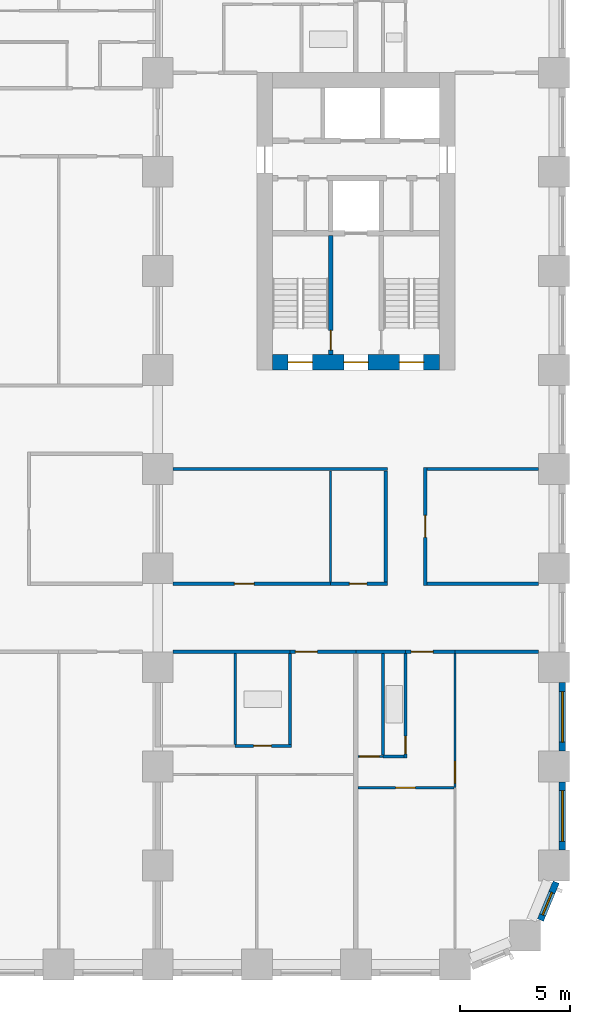
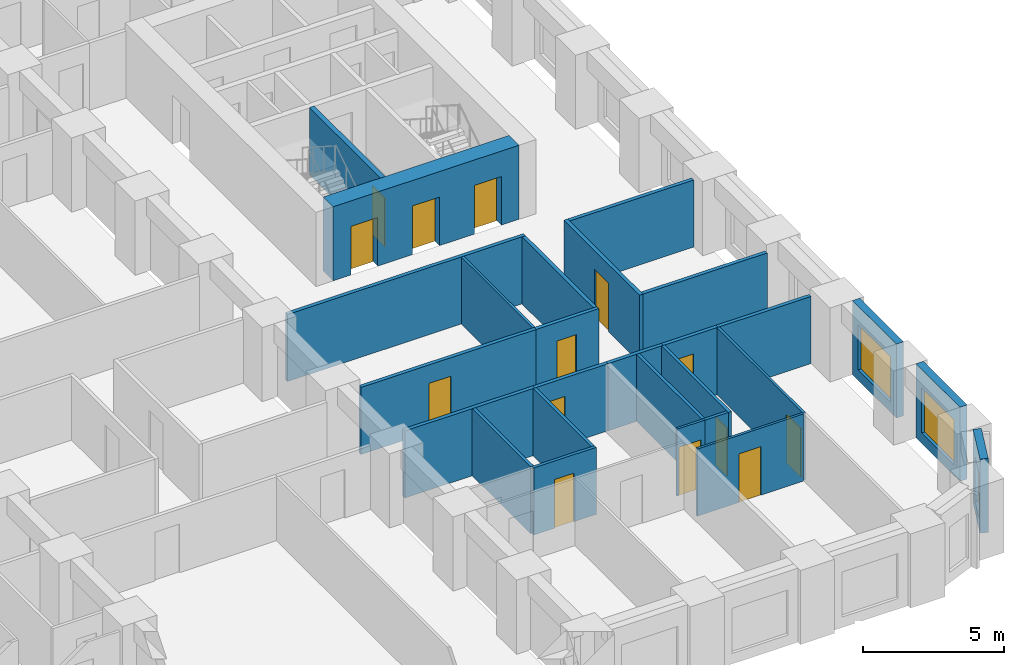
# One storey, part 5 of 13: 27 walls, 14 doors, 3 windows, 17 openings.
"""IFC4 building model written with IfcOpenShell, lengths in metres."""

import ifcopenshell
import ifcopenshell.guid

model = None  # the IFC model being written
_history = None  # IfcOwnerHistory: only IFC2X3 demands one
_inside = {}  # id of a spatial element -> (the spatial element, [elements in it])
_under = {}  # id of a project, library or spatial element -> (it, [spatial elements below it])
_declared = {}  # id of a project -> (the project, [libraries it declares])
_typed = {}  # id of a type object -> (the type object, [elements of that type])
_made_of = {}  # id of a material, layer set ... -> (it, [elements and type objects made of it])


def new_model(schema):
    """Start an empty IFC model of exactly this schema.

    Asked for "IFC4X3", IfcOpenShell would pick the latest addendum, in which some entities
    have other attributes; the version numbers below select the first issue.
    IFC2X3 requires an IfcOwnerHistory on every rooted entity: one is made here for all.
    """
    global model, _history
    if schema == "IFC4X3":
        model = ifcopenshell.file(schema_version=(4, 3, 0, 0))
    else:
        model = ifcopenshell.file(schema=schema)
    _inside.clear()
    _under.clear()
    _declared.clear()
    _typed.clear()
    _made_of.clear()
    _history = None
    if model.schema == "IFC2X3":
        org = make("IfcOrganization", Name="unknown")
        user = make(
            "IfcPersonAndOrganization",
            ThePerson=make("IfcPerson", FamilyName="unknown"),
            TheOrganization=org,
        )
        app = make(
            "IfcApplication",
            ApplicationDeveloper=org,
            Version="unknown",
            ApplicationFullName="unknown",
            ApplicationIdentifier="unknown",
        )
        _history = make(
            "IfcOwnerHistory",
            OwningUser=user,
            OwningApplication=app,
            ChangeAction="ADDED",
            CreationDate=0,
        )
    return model


def make(cls, **values):
    """One entity of the class cls with the attributes given. An attribute that is None is left unset."""
    return model.create_entity(
        cls, **{name: value for name, value in values.items() if value is not None}
    )


def rooted(cls, **values):
    """An entity with a GlobalId (a new one), such as an element, a storey or a relation."""
    return make(cls, GlobalId=ifcopenshell.guid.new(), OwnerHistory=_history, **values)


def si_unit(unit_type, name, prefix=None):
    """IfcSIUnit, for example si_unit("LENGTHUNIT", "METRE", prefix="MILLI")."""
    return make("IfcSIUnit", UnitType=unit_type, Prefix=prefix, Name=name)


def assignment(units):
    """IfcUnitAssignment: the units of a project."""
    return None if units is None else make("IfcUnitAssignment", Units=units)


def point(xyz):
    """IfcCartesianPoint."""
    return None if xyz is None else make("IfcCartesianPoint", Coordinates=xyz)


def direction(xyz):
    """IfcDirection."""
    return None if xyz is None else make("IfcDirection", DirectionRatios=xyz)


def frame(location, z_axis=None, x_axis=None):
    """IfcAxis2Placement3D, a coordinate frame: its origin and axes. An axis left out is left unset."""
    return make(
        "IfcAxis2Placement3D",
        Location=point(location),
        Axis=direction(z_axis),
        RefDirection=direction(x_axis),
    )


def frame_2d(location, x_axis=None):
    """IfcAxis2Placement2D, a coordinate frame in the plane: its origin and x axis."""
    return make(
        "IfcAxis2Placement2D", Location=point(location), RefDirection=direction(x_axis)
    )


def origin():
    """The frame at (0, 0, 0) with its axes left unset."""
    return frame((0.0, 0.0, 0.0))


def place(relative_to, where):
    """IfcLocalPlacement: puts the frame where relative to a parent placement (None: the world)."""
    return make(
        "IfcLocalPlacement", PlacementRelTo=relative_to, RelativePlacement=where
    )


def context(
    kind, dimensions, precision=None, world=None, true_north=None, identifier=None
):
    """IfcGeometricRepresentationContext, for example the 3D "Model" context."""
    return make(
        "IfcGeometricRepresentationContext",
        ContextIdentifier=identifier,
        ContextType=kind,
        CoordinateSpaceDimension=dimensions,
        Precision=precision,
        WorldCoordinateSystem=world,
        TrueNorth=true_north,
    )


def subcontext(parent, identifier, kind, view, scale=None):
    """IfcGeometricRepresentationSubContext, for example "Body" below "Model"."""
    return make(
        "IfcGeometricRepresentationSubContext",
        ContextIdentifier=identifier,
        ContextType=kind,
        ParentContext=parent,
        TargetScale=scale,
        TargetView=view,
    )


def project(units=None, contexts=None):
    """IfcProject with its units and contexts."""
    return rooted(
        "IfcProject",
        Name="project",
        RepresentationContexts=contexts,
        UnitsInContext=assignment(units),
    )


def spatial(cls, under=None, at=None, **own):
    """A site, building, storey or space (cls), placed at a placement, below another one or the project."""
    s = rooted(cls, ObjectPlacement=at, **own)
    if under is not None:
        _under.setdefault(under.id(), (under, []))[1].append(s)
    return s


def profile(cls, at=None, kind="AREA", **sizes):
    """A parametric profile (cls). Its sizes go by their IFC names, for example OverallWidth=200.0."""
    return make(cls, ProfileType=kind, Position=at, **sizes)


def rectangle(**sizes):
    """IfcRectangleProfileDef."""
    return profile("IfcRectangleProfileDef", **sizes)


def extrude(swept, where, along, depth):
    """IfcExtrudedAreaSolid: the profile swept, set in the frame where, extruded along a direction by depth."""
    return make(
        "IfcExtrudedAreaSolid",
        SweptArea=swept,
        Position=where,
        ExtrudedDirection=direction(along),
        Depth=depth,
    )


def shape(context_of_items, identifier, shape_type, items):
    """IfcShapeRepresentation: the items that make up one representation, for example the "Body"."""
    return make(
        "IfcShapeRepresentation",
        ContextOfItems=context_of_items,
        RepresentationIdentifier=identifier,
        RepresentationType=shape_type,
        Items=items,
    )


def material(Name=None, Category=None):
    """IfcMaterial."""
    return make("IfcMaterial", Name=Name, Category=Category)


def layer(
    of_material, thickness, ventilated=None, Name=None, Category=None, Priority=None
):
    """IfcMaterialLayer: one layer of a wall or slab, of a material (None: an air gap)."""
    return make(
        "IfcMaterialLayer",
        Material=of_material,
        LayerThickness=thickness,
        IsVentilated=ventilated,
        Name=Name,
        Category=Category,
        Priority=Priority,
    )


def layer_set(layers, Name=None):
    """IfcMaterialLayerSet."""
    return make("IfcMaterialLayerSet", MaterialLayers=layers, LayerSetName=Name)


def made_of(thing, what):
    """Note that an element or type object is made of a material, layer set ...; save() writes the relation."""
    if what is not None:
        _made_of.setdefault(what.id(), (what, []))[1].append(thing)
    return thing


def type_object(cls, material=None, **own):
    """A type object (cls), such as IfcWallType, which elements share."""
    return made_of(rooted(cls, **own), material)


def element(
    cls,
    number,
    at=None,
    inside=None,
    cuts=None,
    type_object=None,
    material=None,
    context=None,
    identifier="Body",
    shape_type=None,
    held_by="IfcProductDefinitionShape",
    body=None,
    shapes=None,
    **own,
):
    """One element of the class cls, such as IfcWall. Its Tag is "e" and its number.

    at: its placement. inside: the storey or other place that contains it. cuts: it is an
    opening in that element (IfcRelVoidsElement). A single representation is given by context,
    identifier, shape_type and body (its items); several are given by shapes. held_by: the class
    of the entity that holds the representations. save() writes the other relations.
    """
    e = rooted(cls, Tag="e%d" % number, ObjectPlacement=at, **own)
    if body is not None:
        shapes = [shape(context, identifier, shape_type, body)]
    if shapes is not None:
        e.Representation = make(held_by, Representations=shapes)
    if inside is not None:
        _inside.setdefault(inside.id(), (inside, []))[1].append(e)
    if cuts is not None:
        rooted(
            "IfcRelVoidsElement", RelatingBuildingElement=cuts, RelatedOpeningElement=e
        )
    if type_object is not None:
        _typed.setdefault(type_object.id(), (type_object, []))[1].append(e)
    return made_of(e, material)


def fill(opening, filler):
    """IfcRelFillsElement: the door or window that sits in an opening."""
    return rooted(
        "IfcRelFillsElement",
        RelatingOpeningElement=opening,
        RelatedBuildingElement=filler,
    )


def aggregate(whole, parts):
    """IfcRelAggregates: a whole, such as a stair, and the parts it consists of."""
    return rooted("IfcRelAggregates", RelatingObject=whole, RelatedObjects=parts)


def save(model, path):
    """Write the relations noted so far, then the file.

    IfcRelAggregates (storeys below a building ...), IfcRelContainedInSpatialStructure (elements
    in a storey), IfcRelDefinesByType, IfcRelAssociatesMaterial and IfcRelDeclares: one each for
    every whole, place, type object, material and project.
    """
    for whole, parts in _under.values():
        aggregate(whole, parts)
    for where, things in _inside.values():
        rooted(
            "IfcRelContainedInSpatialStructure",
            RelatedElements=things,
            RelatingStructure=where,
        )
    for kind, things in _typed.values():
        rooted("IfcRelDefinesByType", RelatedObjects=things, RelatingType=kind)
    for what, things in _made_of.values():
        rooted("IfcRelAssociatesMaterial", RelatedObjects=things, RelatingMaterial=what)
    for by, libraries in _declared.values():
        rooted("IfcRelDeclares", RelatingContext=by, RelatedDefinitions=libraries)
    model.write(path)


model = new_model("IFC4")

# Units and contexts
model_context = context("Model", 3, precision=1e-05, world=origin(), true_north=direction((0.0, 1.0)))
body_context = subcontext(model_context, "Body", "Model", "MODEL_VIEW")
ifc_project = project(units=[si_unit("LENGTHUNIT", "METRE"), si_unit("AREAUNIT", "SQUARE_METRE"), si_unit("VOLUMEUNIT", "CUBIC_METRE"), si_unit("PLANEANGLEUNIT", "RADIAN"), si_unit("MASSUNIT", "GRAM", prefix="KILO")], contexts=[model_context])

# Site, building, storey
site_placement = place(None, origin())
site = spatial("IfcSite", under=ifc_project, at=site_placement, CompositionType="ELEMENT")
building_placement = place(site_placement, origin())
building = spatial("IfcBuilding", under=site, at=building_placement, Name="Girih Gate Residences", CompositionType="ELEMENT")
storey_placement = place(building_placement, frame((0.0, 0.0, 40.0)))
storey = spatial("IfcBuildingStorey", under=building, at=storey_placement, Name="L09", CompositionType="ELEMENT", Elevation=40.0)

# Wall, opening, door
ifc_material_1 = material(Name="Gypsum board on steel studs", Category="steel")
ifc_layer_1 = layer(ifc_material_1, 0.14990234375)
ifc_layer_set_1 = layer_set([ifc_layer_1], Name="Compartment wall 150 mm")
wall_type_1 = type_object("IfcWallType", Name="Compartment wall 150 mm", PredefinedType="PARTITIONING", material=ifc_layer_set_1)
wall_1_placement = place(storey_placement, frame((45.0, 14.199951171875, 0.0), z_axis=(0.0, 0.0, 1.0), x_axis=(-1.0, 0.0, 0.0)))
wall_1 = element("IfcWall", 1, at=wall_1_placement, inside=storey, type_object=wall_type_1, Name="L09 partition", PredefinedType="PARTITIONING", context=body_context, shape_type="SweptSolid", body=[
    extrude(rectangle(XDim=2.25, YDim=0.14990234375, at=frame_2d((1.125, 0.0))), origin(), (0.0, 0.0, 1.0), 2.89990234375),
])
opening_1_placement = place(wall_1_placement, frame((1.0, 0.0, 0.0)))
opening_1 = element("IfcOpeningElement", 2, at=opening_1_placement, cuts=wall_1, Name="Opening A09-022", PredefinedType="OPENING", context=body_context, shape_type="SweptSolid", body=[
    extrude(rectangle(XDim=1.0, YDim=2.10009765625, at=frame_2d((0.5, 1.050048828125))), frame((0.0, 0.0849609375, 0.0), z_axis=(0.0, -1.0, 0.0), x_axis=(1.0, 0.0, 0.0)), (0.0, 0.0, 1.0), 0.169921875),
])
ifc_material_2 = material(Name="Timber, fire-rated core", Category="wood")
door_type_1 = type_object("IfcDoorType", Name="Flat entrance door 1000x2100 FD30S", OperationType="NOTDEFINED", PredefinedType="DOOR", material=ifc_material_2)
door_1_placement = place(opening_1_placement, origin())
door_1 = element("IfcDoor", 3, at=door_1_placement, inside=storey, type_object=door_type_1, Name="Door A09-022", OperationType="SINGLE_SWING_RIGHT", OverallHeight=2.10009765625, OverallWidth=1.0, PredefinedType="DOOR", context=body_context, shape_type="SweptSolid", body=[
    extrude(rectangle(XDim=1.0, YDim=2.10009765625, at=frame_2d((0.5, 1.050048828125))), frame((0.0, 0.02490234375, 0.0), z_axis=(0.0, -1.0, 0.0), x_axis=(1.0, 0.0, 0.0)), (0.0, 0.0, 1.0), 0.050048828125),
])
fill(opening_1, door_1)

# Walls
wall_2_placement = place(storey_placement, frame((40.5, 14.199951171875, 0.0), z_axis=(0.0, 0.0, 1.0), x_axis=(1.0, 0.0, 0.0)))
element("IfcWall", 4, at=wall_2_placement, inside=storey, type_object=wall_type_1, Name="L09 partition", PredefinedType="PARTITIONING", context=body_context, shape_type="SweptSolid", body=[
    extrude(rectangle(XDim=2.25, YDim=0.14990234375, at=frame_2d((1.125, 0.0))), origin(), (0.0, 0.0, 1.0), 2.89990234375),
])
wall_3_placement = place(storey_placement, frame((45.0, 14.199951171875, 0.0), z_axis=(0.0, 0.0, 1.0), x_axis=(1.0, 0.0, 0.0)))
element("IfcWall", 5, at=wall_3_placement, inside=storey, type_object=wall_type_1, Name="L09 partition", PredefinedType="PARTITIONING", context=body_context, shape_type="SweptSolid", body=[
    extrude(rectangle(XDim=3.800048828125, YDim=0.14990234375, at=frame_2d((1.89990234375, 0.0))), origin(), (0.0, 0.0, 1.0), 2.89990234375),
])

# Wall, opening, door
wall_4_placement = place(storey_placement, frame((40.5, 14.199951171875, 0.0), z_axis=(0.0, 0.0, 1.0), x_axis=(-1.0, 0.0, 0.0)))
wall_4 = element("IfcWall", 6, at=wall_4_placement, inside=storey, type_object=wall_type_1, Name="L09 partition", PredefinedType="PARTITIONING", context=body_context, shape_type="SweptSolid", body=[
    extrude(rectangle(XDim=3.0, YDim=0.14990234375, at=frame_2d((1.5, 0.0))), origin(), (0.0, 0.0, 1.0), 2.89990234375),
])
opening_2_placement = place(wall_4_placement, frame((1.75, 0.0, 0.0)))
opening_2 = element("IfcOpeningElement", 7, at=opening_2_placement, cuts=wall_4, Name="Opening A09-027", PredefinedType="OPENING", context=body_context, shape_type="SweptSolid", body=[
    extrude(rectangle(XDim=1.0, YDim=2.10009765625, at=frame_2d((0.5, 1.050048828125))), frame((0.0, 0.0849609375, 0.0), z_axis=(0.0, -1.0, 0.0), x_axis=(1.0, 0.0, 0.0)), (0.0, 0.0, 1.0), 0.169921875),
])
door_2_placement = place(opening_2_placement, origin())
door_2 = element("IfcDoor", 8, at=door_2_placement, inside=storey, type_object=door_type_1, Name="Door A09-027", OperationType="SINGLE_SWING_RIGHT", OverallHeight=2.10009765625, OverallWidth=1.0, PredefinedType="DOOR", context=body_context, shape_type="SweptSolid", body=[
    extrude(rectangle(XDim=1.0, YDim=2.10009765625, at=frame_2d((0.5, 1.050048828125))), frame((0.0, 0.02490234375, 0.0), z_axis=(0.0, -1.0, 0.0), x_axis=(1.0, 0.0, 0.0)), (0.0, 0.0, 1.0), 0.050048828125),
])
fill(opening_2, door_2)

# Wall
wall_5_placement = place(storey_placement, frame((32.199951171875, 14.199951171875, 0.0), z_axis=(0.0, 0.0, 1.0), x_axis=(1.0, 0.0, 0.0)))
element("IfcWall", 9, at=wall_5_placement, inside=storey, type_object=wall_type_1, Name="L09 partition", PredefinedType="PARTITIONING", context=body_context, shape_type="SweptSolid", body=[
    extrude(rectangle(XDim=5.300048828125, YDim=0.14990234375, at=frame_2d((2.64990234375, 0.0))), origin(), (0.0, 0.0, 1.0), 2.89990234375),
])

# Wall, opening, door
wall_6_placement = place(storey_placement, frame((32.199951171875, 17.300048828125, 0.0), z_axis=(0.0, 0.0, 1.0), x_axis=(1.0, 0.0, 0.0)))
wall_6 = element("IfcWall", 10, at=wall_6_placement, inside=storey, type_object=wall_type_1, Name="L09 partition", PredefinedType="PARTITIONING", context=body_context, shape_type="SweptSolid", body=[
    extrude(rectangle(XDim=7.150146484375, YDim=0.14990234375, at=frame_2d((3.5751953125, 0.0))), origin(), (0.0, 0.0, 1.0), 2.89990234375),
])
opening_3_placement = place(wall_6_placement, frame((2.77490234375, 0.0, 0.0)))
opening_3 = element("IfcOpeningElement", 11, at=opening_3_placement, cuts=wall_6, Name="Opening A09-053", PredefinedType="OPENING", context=body_context, shape_type="SweptSolid", body=[
    extrude(rectangle(XDim=0.89990234375, YDim=2.10009765625, at=frame_2d((0.449951171875, 1.050048828125))), frame((0.0, 0.0849609375, 0.0), z_axis=(0.0, -1.0, 0.0), x_axis=(1.0, 0.0, 0.0)), (0.0, 0.0, 1.0), 0.169921875),
])
ifc_material_3 = material(Name="Timber", Category="wood")
door_type_2 = type_object("IfcDoorType", Name="Service room door 900x2100", OperationType="NOTDEFINED", PredefinedType="DOOR", material=ifc_material_3)
door_3_placement = place(opening_3_placement, origin())
door_3 = element("IfcDoor", 12, at=door_3_placement, inside=storey, type_object=door_type_2, Name="Door A09-053", OperationType="SINGLE_SWING_LEFT", OverallHeight=2.10009765625, OverallWidth=0.89990234375, PredefinedType="DOOR", context=body_context, shape_type="SweptSolid", body=[
    extrude(rectangle(XDim=0.89990234375, YDim=2.10009765625, at=frame_2d((0.449951171875, 1.050048828125))), frame((0.0, 0.02490234375, 0.0), z_axis=(0.0, -1.0, 0.0), x_axis=(1.0, 0.0, 0.0)), (0.0, 0.0, 1.0), 0.050048828125),
])
fill(opening_3, door_3)

wall_7_placement = place(storey_placement, frame((39.35009765625, 17.300048828125, 0.0), z_axis=(0.0, 0.0, 1.0), x_axis=(1.0, 0.0, 0.0)))
wall_7 = element("IfcWall", 13, at=wall_7_placement, inside=storey, type_object=wall_type_1, Name="L09 partition", PredefinedType="PARTITIONING", context=body_context, shape_type="SweptSolid", body=[
    extrude(rectangle(XDim=2.574951171875, YDim=0.14990234375, at=frame_2d((1.28759765625, 0.0))), origin(), (0.0, 0.0, 1.0), 2.89990234375),
])
opening_4_placement = place(wall_7_placement, frame((0.85009765625, 0.0, 0.0)))
opening_4 = element("IfcOpeningElement", 14, at=opening_4_placement, cuts=wall_7, Name="Opening A09-055", PredefinedType="OPENING", context=body_context, shape_type="SweptSolid", body=[
    extrude(rectangle(XDim=0.800048828125, YDim=2.10009765625, at=frame_2d((0.39990234375, 1.050048828125))), frame((0.0, 0.0849609375, 0.0), z_axis=(0.0, -1.0, 0.0), x_axis=(1.0, 0.0, 0.0)), (0.0, 0.0, 1.0), 0.169921875),
])
door_type_3 = type_object("IfcDoorType", Name="Bathroom door 800x2100", OperationType="NOTDEFINED", PredefinedType="DOOR", material=ifc_material_3)
door_4_placement = place(opening_4_placement, origin())
door_4 = element("IfcDoor", 15, at=door_4_placement, inside=storey, type_object=door_type_3, Name="Door A09-055", OperationType="SINGLE_SWING_LEFT", OverallHeight=2.10009765625, OverallWidth=0.800048828125, PredefinedType="DOOR", context=body_context, shape_type="SweptSolid", body=[
    extrude(rectangle(XDim=0.800048828125, YDim=2.10009765625, at=frame_2d((0.39990234375, 1.050048828125))), frame((0.0, 0.02490234375, 0.0), z_axis=(0.0, -1.0, 0.0), x_axis=(1.0, 0.0, 0.0)), (0.0, 0.0, 1.0), 0.050048828125),
])
fill(opening_4, door_4)

# Walls
wall_8_placement = place(storey_placement, frame((43.72509765625, 17.300048828125, 0.0), z_axis=(0.0, 0.0, 1.0), x_axis=(1.0, 0.0, 0.0)))
element("IfcWall", 16, at=wall_8_placement, inside=storey, type_object=wall_type_1, Name="L09 partition", PredefinedType="PARTITIONING", context=body_context, shape_type="SweptSolid", body=[
    extrude(rectangle(XDim=5.074951171875, YDim=0.14990234375, at=frame_2d((2.53759765625, 0.0))), origin(), (0.0, 0.0, 1.0), 2.89990234375),
])
wall_9_placement = place(storey_placement, frame((32.199951171875, 22.5, 0.0), z_axis=(0.0, 0.0, 1.0), x_axis=(1.0, 0.0, 0.0)))
element("IfcWall", 17, at=wall_9_placement, inside=storey, type_object=wall_type_1, Name="L09 partition", PredefinedType="PARTITIONING", context=body_context, shape_type="SweptSolid", body=[
    extrude(rectangle(XDim=9.72509765625, YDim=0.14990234375, at=frame_2d((4.862548828125, 0.0))), origin(), (0.0, 0.0, 1.0), 2.89990234375),
])
wall_10_placement = place(storey_placement, frame((43.72509765625, 22.5, 0.0), z_axis=(0.0, 0.0, 1.0), x_axis=(1.0, 0.0, 0.0)))
element("IfcWall", 18, at=wall_10_placement, inside=storey, type_object=wall_type_1, Name="L09 partition", PredefinedType="PARTITIONING", context=body_context, shape_type="SweptSolid", body=[
    extrude(rectangle(XDim=5.074951171875, YDim=0.14990234375, at=frame_2d((2.53759765625, 0.0))), origin(), (0.0, 0.0, 1.0), 2.89990234375),
])
wall_11_placement = place(storey_placement, frame((41.85009765625, 17.375, 0.0), z_axis=(0.0, 0.0, 1.0), x_axis=(0.0, 1.0, 0.0)))
element("IfcWall", 19, at=wall_11_placement, inside=storey, type_object=wall_type_1, Name="L09 partition", PredefinedType="PARTITIONING", context=body_context, shape_type="SweptSolid", body=[
    extrude(rectangle(XDim=5.050048828125, YDim=0.14990234375, at=frame_2d((2.52490234375, 0.0))), origin(), (0.0, 0.0, 1.0), 2.89990234375),
])

# Wall, opening, door
wall_12_placement = place(storey_placement, frame((43.64990234375, 22.574951171875, 0.0), z_axis=(0.0, 0.0, 1.0), x_axis=(0.0, -1.0, 0.0)))
wall_12 = element("IfcWall", 20, at=wall_12_placement, inside=storey, type_object=wall_type_1, Name="L09 partition", PredefinedType="PARTITIONING", context=body_context, shape_type="SweptSolid", body=[
    extrude(rectangle(XDim=5.349853515625, YDim=0.14990234375, at=frame_2d((2.6748046875, 0.0))), origin(), (0.0, 0.0, 1.0), 2.89990234375),
])
opening_5_placement = place(wall_12_placement, frame((2.175048828125, 0.0, 0.0)))
opening_5 = element("IfcOpeningElement", 21, at=opening_5_placement, cuts=wall_12, Name="Opening A09-057", PredefinedType="OPENING", context=body_context, shape_type="SweptSolid", body=[
    extrude(rectangle(XDim=1.0, YDim=2.10009765625, at=frame_2d((0.5, 1.050048828125))), frame((0.0, 0.0849609375, 0.0), z_axis=(0.0, -1.0, 0.0), x_axis=(1.0, 0.0, 0.0)), (0.0, 0.0, 1.0), 0.169921875),
])
door_type_4 = type_object("IfcDoorType", Name="Amenity room door 1000x2100 FD30S", OperationType="NOTDEFINED", PredefinedType="DOOR", material=ifc_material_2)
door_5_placement = place(opening_5_placement, origin())
door_5 = element("IfcDoor", 22, at=door_5_placement, inside=storey, type_object=door_type_4, Name="Door A09-057", OperationType="SINGLE_SWING_RIGHT", OverallHeight=2.10009765625, OverallWidth=1.0, PredefinedType="DOOR", context=body_context, shape_type="SweptSolid", body=[
    extrude(rectangle(XDim=1.0, YDim=2.10009765625, at=frame_2d((0.5, 1.050048828125))), frame((0.0, 0.02490234375, 0.0), z_axis=(0.0, -1.0, 0.0), x_axis=(1.0, 0.0, 0.0)), (0.0, 0.0, 1.0), 0.050048828125),
])
fill(opening_5, door_5)

# Wall, openings, doors
ifc_material_4 = material(Name="Concrete C60/75", Category="concrete")
ifc_layer_2 = layer(ifc_material_4, 0.699951171875)
ifc_layer_set_2 = layer_set([ifc_layer_2], Name="Core wall RC 700 Concrete C60/75")
wall_type_2 = type_object("IfcWallType", Name="Core wall RC 700 Concrete C60/75", PredefinedType="SOLIDWALL", material=ifc_layer_set_2)
wall_13_placement = place(storey_placement, frame((36.699951171875, 27.35009765625, 0.0), z_axis=(0.0, 0.0, 1.0), x_axis=(1.0, 0.0, 0.0)))
wall_13 = element("IfcWall", 23, at=wall_13_placement, inside=storey, type_object=wall_type_2, Name="Core wall E-S L09", PredefinedType="SOLIDWALL", context=body_context, shape_type="SweptSolid", body=[
    extrude(rectangle(XDim=7.60009765625, YDim=0.699951171875, at=frame_2d((3.800048828125, 0.0))), origin(), (0.0, 0.0, 1.0), 3.199951171875),
])
opening_6_placement = place(wall_13_placement, frame((5.77490234375, 0.0, 0.0)))
opening_6 = element("IfcOpeningElement", 24, at=opening_6_placement, cuts=wall_13, Name="Opening D-L09-E-011", PredefinedType="OPENING", context=body_context, shape_type="SweptSolid", body=[
    extrude(rectangle(XDim=1.10009765625, YDim=2.10009765625, at=frame_2d((0.550048828125, 1.050048828125))), frame((0.0, 0.35986328125, 0.0), z_axis=(0.0, -1.0, 0.0), x_axis=(1.0, 0.0, 0.0)), (0.0, 0.0, 1.0), 0.719970703125),
])
opening_7_placement = place(wall_13_placement, frame((3.25, 0.0, 0.0)))
opening_7 = element("IfcOpeningElement", 25, at=opening_7_placement, cuts=wall_13, Name="Opening D-L09-E-012", PredefinedType="OPENING", context=body_context, shape_type="SweptSolid", body=[
    extrude(rectangle(XDim=1.10009765625, YDim=2.10009765625, at=frame_2d((0.550048828125, 1.050048828125))), frame((0.0, 0.35986328125, 0.0), z_axis=(0.0, -1.0, 0.0), x_axis=(1.0, 0.0, 0.0)), (0.0, 0.0, 1.0), 0.719970703125),
])
opening_8_placement = place(wall_13_placement, frame((0.72509765625, 0.0, 0.0)))
opening_8 = element("IfcOpeningElement", 26, at=opening_8_placement, cuts=wall_13, Name="Opening D-L09-E-013", PredefinedType="OPENING", context=body_context, shape_type="SweptSolid", body=[
    extrude(rectangle(XDim=1.10009765625, YDim=2.10009765625, at=frame_2d((0.550048828125, 1.050048828125))), frame((0.0, 0.35986328125, 0.0), z_axis=(0.0, -1.0, 0.0), x_axis=(1.0, 0.0, 0.0)), (0.0, 0.0, 1.0), 0.719970703125),
])
ifc_material_5 = material(Name="Painted steel, fire-resisting", Category="steel")
door_type_5 = type_object("IfcDoorType", Name="Fire door 1100x2100", OperationType="SINGLE_SWING_LEFT", PredefinedType="DOOR", material=ifc_material_5)
door_6_placement = place(opening_6_placement, origin())
door_6 = element("IfcDoor", 27, at=door_6_placement, inside=storey, type_object=door_type_5, Name="L09 E core door sta-out", OperationType="SINGLE_SWING_LEFT", OverallHeight=2.10009765625, OverallWidth=1.10009765625, PredefinedType="DOOR", context=body_context, shape_type="SweptSolid", body=[
    extrude(rectangle(XDim=1.10009765625, YDim=2.10009765625, at=frame_2d((0.550048828125, 1.050048828125))), frame((0.0, 0.02490234375, 0.0), z_axis=(0.0, -1.0, 0.0), x_axis=(1.0, 0.0, 0.0)), (0.0, 0.0, 1.0), 0.050048828125),
])
fill(opening_6, door_6)
door_7_placement = place(opening_7_placement, origin())
door_7 = element("IfcDoor", 28, at=door_7_placement, inside=storey, type_object=door_type_5, Name="L09 E core door ffl-out", OperationType="SINGLE_SWING_LEFT", OverallHeight=2.10009765625, OverallWidth=1.10009765625, PredefinedType="DOOR", context=body_context, shape_type="SweptSolid", body=[
    extrude(rectangle(XDim=1.10009765625, YDim=2.10009765625, at=frame_2d((0.550048828125, 1.050048828125))), frame((0.0, 0.02490234375, 0.0), z_axis=(0.0, -1.0, 0.0), x_axis=(1.0, 0.0, 0.0)), (0.0, 0.0, 1.0), 0.050048828125),
])
fill(opening_7, door_7)
door_8_placement = place(opening_8_placement, origin())
door_8 = element("IfcDoor", 29, at=door_8_placement, inside=storey, type_object=door_type_5, Name="L09 E core door stb-out", OperationType="SINGLE_SWING_LEFT", OverallHeight=2.10009765625, OverallWidth=1.10009765625, PredefinedType="DOOR", context=body_context, shape_type="SweptSolid", body=[
    extrude(rectangle(XDim=1.10009765625, YDim=2.10009765625, at=frame_2d((0.550048828125, 1.050048828125))), frame((0.0, 0.02490234375, 0.0), z_axis=(0.0, -1.0, 0.0), x_axis=(1.0, 0.0, 0.0)), (0.0, 0.0, 1.0), 0.050048828125),
])
fill(opening_8, door_8)

# Wall, opening, door
ifc_layer_3 = layer(ifc_material_1, 0.10009765625)
ifc_layer_set_3 = layer_set([ifc_layer_3], Name="Partition 100 mm")
wall_type_3 = type_object("IfcWallType", Name="Partition 100 mm", PredefinedType="PARTITIONING", material=ifc_layer_set_3)
wall_14_placement = place(storey_placement, frame((44.949951171875, 8.030029296875, 0.0), z_axis=(0.0, 0.0, 1.0), x_axis=(-1.0, 0.0, 0.0)))
wall_14 = element("IfcWall", 30, at=wall_14_placement, inside=storey, type_object=wall_type_3, Name="L09 partition", PredefinedType="PARTITIONING", context=body_context, shape_type="SweptSolid", body=[
    extrude(rectangle(XDim=4.349853515625, YDim=0.10009765625, at=frame_2d((2.1748046875, 0.0))), origin(), (0.0, 0.0, 1.0), 2.89990234375),
])
opening_9_placement = place(wall_14_placement, frame((1.75, 0.0, 0.0)))
opening_9 = element("IfcOpeningElement", 31, at=opening_9_placement, cuts=wall_14, Name="Opening A09-019", PredefinedType="OPENING", context=body_context, shape_type="SweptSolid", body=[
    extrude(rectangle(XDim=0.89990234375, YDim=2.10009765625, at=frame_2d((0.449951171875, 1.050048828125))), frame((0.0, 0.06005859375, 0.0), z_axis=(0.0, -1.0, 0.0), x_axis=(1.0, 0.0, 0.0)), (0.0, 0.0, 1.0), 0.1201171875),
])
door_type_6 = type_object("IfcDoorType", Name="Bedroom door 900x2100", OperationType="NOTDEFINED", PredefinedType="DOOR", material=ifc_material_3)
door_9_placement = place(opening_9_placement, origin())
door_9 = element("IfcDoor", 32, at=door_9_placement, inside=storey, type_object=door_type_6, Name="Door A09-019", OperationType="SINGLE_SWING_RIGHT", OverallHeight=2.10009765625, OverallWidth=0.89990234375, PredefinedType="DOOR", context=body_context, shape_type="SweptSolid", body=[
    extrude(rectangle(XDim=0.89990234375, YDim=2.10009765625, at=frame_2d((0.449951171875, 1.050048828125))), frame((0.0, 0.02490234375, 0.0), z_axis=(0.0, -1.0, 0.0), x_axis=(1.0, 0.0, 0.0)), (0.0, 0.0, 1.0), 0.050048828125),
])
fill(opening_9, door_9)

wall_15_placement = place(storey_placement, frame((40.60009765625, 9.449951171875, 0.0), z_axis=(0.0, 0.0, 1.0), x_axis=(1.0, 0.0, 0.0)))
wall_15 = element("IfcWall", 33, at=wall_15_placement, inside=storey, type_object=wall_type_3, Name="L09 partition", PredefinedType="PARTITIONING", context=body_context, shape_type="SweptSolid", body=[
    extrude(rectangle(XDim=1.127197265625, YDim=0.10009765625, at=frame_2d((0.5634765625, 0.0))), origin(), (0.0, 0.0, 1.0), 2.89990234375),
])
opening_10_placement = place(wall_15_placement, frame((0.063720703125, 0.0, 0.0)))
opening_10 = element("IfcOpeningElement", 34, at=opening_10_placement, cuts=wall_15, Name="Opening A09-020", PredefinedType="OPENING", context=body_context, shape_type="SweptSolid", body=[
    extrude(rectangle(XDim=0.89990234375, YDim=2.10009765625, at=frame_2d((0.449951171875, 1.050048828125))), frame((0.0, 0.06005859375, 0.0), z_axis=(0.0, -1.0, 0.0), x_axis=(1.0, 0.0, 0.0)), (0.0, 0.0, 1.0), 0.1201171875),
])
door_type_7 = type_object("IfcDoorType", Name="Kitchen door 900x2100", OperationType="NOTDEFINED", PredefinedType="DOOR", material=ifc_material_3)
door_10_placement = place(opening_10_placement, origin())
door_10 = element("IfcDoor", 35, at=door_10_placement, inside=storey, type_object=door_type_7, Name="Door A09-020", OperationType="SINGLE_SWING_LEFT", OverallHeight=2.10009765625, OverallWidth=0.89990234375, PredefinedType="DOOR", context=body_context, shape_type="SweptSolid", body=[
    extrude(rectangle(XDim=0.89990234375, YDim=2.10009765625, at=frame_2d((0.449951171875, 1.050048828125))), frame((0.0, 0.02490234375, 0.0), z_axis=(0.0, -1.0, 0.0), x_axis=(1.0, 0.0, 0.0)), (0.0, 0.0, 1.0), 0.050048828125),
])
fill(opening_10, door_10)

wall_16_placement = place(storey_placement, frame((45.0, 14.125, 0.0), z_axis=(0.0, 0.0, 1.0), x_axis=(0.0, -1.0, 0.0)))
wall_16 = element("IfcWall", 36, at=wall_16_placement, inside=storey, type_object=wall_type_3, Name="L09 partition", PredefinedType="PARTITIONING", context=body_context, shape_type="SweptSolid", body=[
    extrude(rectangle(XDim=6.094970703125, YDim=0.10009765625, at=frame_2d((3.04736328125, 0.0))), origin(), (0.0, 0.0, 1.0), 2.89990234375),
])
opening_11_placement = place(wall_16_placement, frame((4.885009765625, 0.0, 0.0)))
opening_11 = element("IfcOpeningElement", 37, at=opening_11_placement, cuts=wall_16, Name="Opening A09-021", PredefinedType="OPENING", context=body_context, shape_type="SweptSolid", body=[
    extrude(rectangle(XDim=1.0, YDim=2.10009765625, at=frame_2d((0.5, 1.050048828125))), frame((0.0, 0.06005859375, 0.0), z_axis=(0.0, -1.0, 0.0), x_axis=(1.0, 0.0, 0.0)), (0.0, 0.0, 1.0), 0.1201171875),
])
door_type_8 = type_object("IfcDoorType", Name="Living room door 1000x2100", OperationType="NOTDEFINED", PredefinedType="DOOR", material=ifc_material_3)
door_11_placement = place(opening_11_placement, origin())
door_11 = element("IfcDoor", 38, at=door_11_placement, inside=storey, type_object=door_type_8, Name="Door A09-021", OperationType="SINGLE_SWING_RIGHT", OverallHeight=2.10009765625, OverallWidth=1.0, PredefinedType="DOOR", context=body_context, shape_type="SweptSolid", body=[
    extrude(rectangle(XDim=1.0, YDim=2.10009765625, at=frame_2d((0.5, 1.050048828125))), frame((0.0, 0.02490234375, 0.0), z_axis=(0.0, -1.0, 0.0), x_axis=(1.0, 0.0, 0.0)), (0.0, 0.0, 1.0), 0.050048828125),
])
fill(opening_11, door_11)

# Wall
wall_17_placement = place(storey_placement, frame((39.35009765625, 17.375, 0.0), z_axis=(0.0, 0.0, 1.0), x_axis=(0.0, 1.0, 0.0)))
element("IfcWall", 39, at=wall_17_placement, inside=storey, type_object=wall_type_3, Name="L09 partition", PredefinedType="PARTITIONING", context=body_context, shape_type="SweptSolid", body=[
    extrude(rectangle(XDim=5.050048828125, YDim=0.10009765625, at=frame_2d((2.52490234375, 0.0))), origin(), (0.0, 0.0, 1.0), 2.89990234375),
])

# Wall, opening, window
ifc_material_6 = material(Name="Precast concrete C50/60", Category="concrete")
ifc_layer_4 = layer(ifc_material_6, 0.080078125, Name="Outer leaf")
ifc_material_7 = material(Name="Rigid PIR insulation")
ifc_layer_5 = layer(ifc_material_7, 0.14990234375, Name="Insulation")
ifc_material_8 = material(Name="Precast concrete C40/50", Category="concrete")
ifc_layer_6 = layer(ifc_material_8, 0.070068359375, Name="Inner leaf")
ifc_layer_set_4 = layer_set([ifc_layer_4, ifc_layer_5, ifc_layer_6], Name="Precast concrete C50/60 external wall 300")
wall_type_4 = type_object("IfcWallType", Name="Precast concrete C50/60 external wall 300", PredefinedType="SOLIDWALL", material=ifc_layer_set_4)
wall_18_placement = place(storey_placement, frame((49.59228515625, 3.74267578125, 0.0), z_axis=(0.0, 0.0, 1.0), x_axis=(-0.382737135771, -0.923857286003, 0.0)))
wall_18 = element("IfcWall", 40, at=wall_18_placement, inside=storey, type_object=wall_type_4, Name="External wall SE0482_0013.0", PredefinedType="SOLIDWALL", context=body_context, shape_type="SweptSolid", body=[
    extrude(rectangle(XDim=1.865234375, YDim=0.300048828125, at=frame_2d((0.9326171875, 0.0))), origin(), (0.0, 0.0, 1.0), 3.199951171875),
])
opening_12_placement = place(wall_18_placement, frame((0.507568359375, 0.0, 0.449951171875)))
opening_12 = element("IfcOpeningElement", 41, at=opening_12_placement, cuts=wall_18, Name="Opening W-2C", PredefinedType="OPENING", context=body_context, shape_type="SweptSolid", body=[
    extrude(rectangle(XDim=1.10009765625, YDim=1.949951171875, at=frame_2d((0.550048828125, 0.97509765625))), frame((0.0, 0.159912109375, 0.0), z_axis=(0.0, -1.0, 0.0), x_axis=(1.0, 0.0, 0.0)), (0.0, 0.0, 1.0), 0.320068359375),
])
ifc_material_9 = material(Name="Double glazing in aluminium frame", Category="aluminium")
window_type_1 = type_object("IfcWindowType", Name="Window W-2C 1100x1950", PartitioningType="SINGLE_PANEL", PredefinedType="WINDOW", material=ifc_material_9)
window_1_placement = place(opening_12_placement, origin())
window_1 = element("IfcWindow", 42, at=window_1_placement, inside=storey, type_object=window_type_1, Name="Window W-2C SE0482_0013.0", OverallHeight=1.949951171875, OverallWidth=1.10009765625, PartitioningType="SINGLE_PANEL", PredefinedType="WINDOW", context=body_context, shape_type="SweptSolid", body=[
    extrude(rectangle(XDim=1.10009765625, YDim=1.949951171875, at=frame_2d((0.550048828125, 0.97509765625))), frame((0.0, 0.030029296875, 0.0), z_axis=(0.0, -1.0, 0.0), x_axis=(1.0, 0.0, 0.0)), (0.0, 0.0, 1.0), 0.06005859375),
])
fill(opening_12, window_1)

wall_19_placement = place(storey_placement, frame((49.875, 8.300048828125, 0.0), z_axis=(0.0, 0.0, 1.0), x_axis=(0.0, -1.0, 0.0)))
wall_19 = element("IfcWall", 43, at=wall_19_placement, inside=storey, type_object=wall_type_4, Name="External wall E0495_0045.0", PredefinedType="SOLIDWALL", context=body_context, shape_type="SweptSolid", body=[
    extrude(rectangle(XDim=3.10009765625, YDim=0.300048828125, at=frame_2d((1.550048828125, 0.0))), origin(), (0.0, 0.0, 1.0), 3.199951171875),
])
opening_13_placement = place(wall_19_placement, frame((0.39990234375, 0.0, 0.449951171875)))
opening_13 = element("IfcOpeningElement", 44, at=opening_13_placement, cuts=wall_19, Name="Opening W-1", PredefinedType="OPENING", context=body_context, shape_type="SweptSolid", body=[
    extrude(rectangle(XDim=2.300048828125, YDim=1.949951171875, at=frame_2d((1.14990234375, 0.97509765625))), frame((0.0, 0.159912109375, 0.0), z_axis=(0.0, -1.0, 0.0), x_axis=(1.0, 0.0, 0.0)), (0.0, 0.0, 1.0), 0.320068359375),
])
window_type_2 = type_object("IfcWindowType", Name="Window W-1 2300x1950", PartitioningType="SINGLE_PANEL", PredefinedType="WINDOW", material=ifc_material_9)
window_2_placement = place(opening_13_placement, origin())
window_2 = element("IfcWindow", 45, at=window_2_placement, inside=storey, type_object=window_type_2, Name="Window W-1 E0495_0045.0", OverallHeight=1.949951171875, OverallWidth=2.300048828125, PartitioningType="SINGLE_PANEL", PredefinedType="WINDOW", context=body_context, shape_type="SweptSolid", body=[
    extrude(rectangle(XDim=2.300048828125, YDim=1.949951171875, at=frame_2d((1.14990234375, 0.97509765625))), frame((0.0, 0.030029296875, 0.0), z_axis=(0.0, -1.0, 0.0), x_axis=(1.0, 0.0, 0.0)), (0.0, 0.0, 1.0), 0.06005859375),
])
fill(opening_13, window_2)

wall_20_placement = place(storey_placement, frame((49.875, 12.800048828125, 0.0), z_axis=(0.0, 0.0, 1.0), x_axis=(0.0, -1.0, 0.0)))
wall_20 = element("IfcWall", 46, at=wall_20_placement, inside=storey, type_object=wall_type_4, Name="External wall E0495_0045.1", PredefinedType="SOLIDWALL", context=body_context, shape_type="SweptSolid", body=[
    extrude(rectangle(XDim=3.10009765625, YDim=0.300048828125, at=frame_2d((1.550048828125, 0.0))), origin(), (0.0, 0.0, 1.0), 3.199951171875),
])
opening_14_placement = place(wall_20_placement, frame((0.39990234375, 0.0, 0.449951171875)))
opening_14 = element("IfcOpeningElement", 47, at=opening_14_placement, cuts=wall_20, Name="Opening W-1", PredefinedType="OPENING", context=body_context, shape_type="SweptSolid", body=[
    extrude(rectangle(XDim=2.300048828125, YDim=1.949951171875, at=frame_2d((1.14990234375, 0.97509765625))), frame((0.0, 0.159912109375, 0.0), z_axis=(0.0, -1.0, 0.0), x_axis=(1.0, 0.0, 0.0)), (0.0, 0.0, 1.0), 0.320068359375),
])
window_3_placement = place(opening_14_placement, origin())
window_3 = element("IfcWindow", 48, at=window_3_placement, inside=storey, type_object=window_type_2, Name="Window W-1 E0495_0045.1", OverallHeight=1.949951171875, OverallWidth=2.300048828125, PartitioningType="SINGLE_PANEL", PredefinedType="WINDOW", context=body_context, shape_type="SweptSolid", body=[
    extrude(rectangle(XDim=2.300048828125, YDim=1.949951171875, at=frame_2d((1.14990234375, 0.97509765625))), frame((0.0, 0.030029296875, 0.0), z_axis=(0.0, -1.0, 0.0), x_axis=(1.0, 0.0, 0.0)), (0.0, 0.0, 1.0), 0.06005859375),
])
fill(opening_14, window_3)

# Wall, opening, door
ifc_material_10 = material(Name="Concrete C40/50", Category="concrete")
ifc_layer_7 = layer(ifc_material_10, 0.199951171875)
ifc_layer_set_5 = layer_set([ifc_layer_7], Name="Shaft wall 200")
wall_type_5 = type_object("IfcWallType", Name="Shaft wall 200", PredefinedType="SOLIDWALL", material=ifc_layer_set_5)
wall_21_placement = place(storey_placement, frame((39.35009765625, 27.699951171875, 0.0), z_axis=(0.0, 0.0, 1.0), x_axis=(0.0, 1.0, 0.0)))
wall_21 = element("IfcWall", 49, at=wall_21_placement, inside=storey, type_object=wall_type_5, Name="L09 E core wall V2a", PredefinedType="SOLIDWALL", context=body_context, shape_type="SweptSolid", body=[
    extrude(rectangle(XDim=5.400146484375, YDim=0.199951171875, at=frame_2d((2.7001953125, 0.0))), origin(), (0.0, 0.0, 1.0), 2.89990234375),
])
opening_15_placement = place(wall_21_placement, frame((0.199951171875, 0.0, 0.0)))
opening_15 = element("IfcOpeningElement", 50, at=opening_15_placement, cuts=wall_21, Name="Opening D-L09-E-002", PredefinedType="OPENING", context=body_context, shape_type="SweptSolid", body=[
    extrude(rectangle(XDim=0.89990234375, YDim=2.10009765625, at=frame_2d((0.449951171875, 1.050048828125))), frame((0.0, 0.10986328125, 0.0), z_axis=(0.0, -1.0, 0.0), x_axis=(1.0, 0.0, 0.0)), (0.0, 0.0, 1.0), 0.219970703125),
])
door_type_9 = type_object("IfcDoorType", Name="Fire door 900x2100", OperationType="SINGLE_SWING_LEFT", PredefinedType="DOOR", material=ifc_material_5)
door_12_placement = place(opening_15_placement, origin())
door_12 = element("IfcDoor", 51, at=door_12_placement, inside=storey, type_object=door_type_9, Name="L09 E door stair 2 to firefighting lobby", OperationType="SINGLE_SWING_LEFT", OverallHeight=2.10009765625, OverallWidth=0.89990234375, PredefinedType="DOOR", context=body_context, shape_type="SweptSolid", body=[
    extrude(rectangle(XDim=0.89990234375, YDim=2.10009765625, at=frame_2d((0.449951171875, 1.050048828125))), frame((0.0, 0.02490234375, 0.0), z_axis=(0.0, -1.0, 0.0), x_axis=(1.0, 0.0, 0.0)), (0.0, 0.0, 1.0), 0.050048828125),
])
fill(opening_15, door_12)

ifc_layer_8 = layer(ifc_material_1, 0.125)
ifc_layer_set_6 = layer_set([ifc_layer_8], Name="Wet room wall 125 mm")
wall_type_6 = type_object("IfcWallType", Name="Wet room wall 125 mm", PredefinedType="PARTITIONING", material=ifc_layer_set_6)
wall_22_placement = place(storey_placement, frame((42.75, 9.387451171875, 0.0), z_axis=(0.0, 0.0, 1.0), x_axis=(0.0, 1.0, 0.0)))
wall_22 = element("IfcWall", 52, at=wall_22_placement, inside=storey, type_object=wall_type_6, Name="L09 partition", PredefinedType="PARTITIONING", context=body_context, shape_type="SweptSolid", body=[
    extrude(rectangle(XDim=4.737548828125, YDim=0.125, at=frame_2d((2.36865234375, 0.0))), origin(), (0.0, 0.0, 1.0), 2.89990234375),
])
opening_16_placement = place(wall_22_placement, frame((0.1826171875, 0.0, 0.0)))
opening_16 = element("IfcOpeningElement", 53, at=opening_16_placement, cuts=wall_22, Name="Opening A09-018", PredefinedType="OPENING", context=body_context, shape_type="SweptSolid", body=[
    extrude(rectangle(XDim=0.800048828125, YDim=2.10009765625, at=frame_2d((0.39990234375, 1.050048828125))), frame((0.0, 0.072509765625, 0.0), z_axis=(0.0, -1.0, 0.0), x_axis=(1.0, 0.0, 0.0)), (0.0, 0.0, 1.0), 0.14501953125),
])
door_13_placement = place(opening_16_placement, origin())
door_13 = element("IfcDoor", 54, at=door_13_placement, inside=storey, type_object=door_type_3, Name="Door A09-018", OperationType="SINGLE_SWING_LEFT", OverallHeight=2.10009765625, OverallWidth=0.800048828125, PredefinedType="DOOR", context=body_context, shape_type="SweptSolid", body=[
    extrude(rectangle(XDim=0.800048828125, YDim=2.10009765625, at=frame_2d((0.39990234375, 1.050048828125))), frame((0.0, 0.02490234375, 0.0), z_axis=(0.0, -1.0, 0.0), x_axis=(1.0, 0.0, 0.0)), (0.0, 0.0, 1.0), 0.050048828125),
])
fill(opening_16, door_13)

# Walls
wall_23_placement = place(storey_placement, frame((41.727294921875, 9.449951171875, 0.0), z_axis=(0.0, 0.0, 1.0), x_axis=(1.0, 0.0, 0.0)))
element("IfcWall", 55, at=wall_23_placement, inside=storey, type_object=wall_type_6, Name="L09 partition", PredefinedType="PARTITIONING", context=body_context, shape_type="SweptSolid", body=[
    extrude(rectangle(XDim=0.960205078125, YDim=0.125, at=frame_2d((0.47998046875, 0.0))), origin(), (0.0, 0.0, 1.0), 2.89990234375),
])
wall_24_placement = place(storey_placement, frame((41.72705078125, 9.512451171875, 0.0), z_axis=(0.0, 0.0, 1.0), x_axis=(0.0, 1.0, 0.0)))
element("IfcWall", 56, at=wall_24_placement, inside=storey, type_object=wall_type_6, Name="L09 partition", PredefinedType="PARTITIONING", context=body_context, shape_type="SweptSolid", body=[
    extrude(rectangle(XDim=4.612548828125, YDim=0.125, at=frame_2d((2.30615234375, 0.0))), origin(), (0.0, 0.0, 1.0), 2.89990234375),
])
wall_25_placement = place(storey_placement, frame((37.5, 9.992431640625, 0.0), z_axis=(0.0, 0.0, 1.0), x_axis=(0.0, 1.0, 0.0)))
element("IfcWall", 57, at=wall_25_placement, inside=storey, type_object=wall_type_6, Name="L09 partition", PredefinedType="PARTITIONING", context=body_context, shape_type="SweptSolid", body=[
    extrude(rectangle(XDim=4.132568359375, YDim=0.125, at=frame_2d((2.06640625, 0.0))), origin(), (0.0, 0.0, 1.0), 2.89990234375),
])

# Wall, opening, door
wall_26_placement = place(storey_placement, frame((35.015380859375, 9.929931640625, 0.0), z_axis=(0.0, 0.0, 1.0), x_axis=(1.0, 0.0, 0.0)))
wall_26 = element("IfcWall", 58, at=wall_26_placement, inside=storey, type_object=wall_type_6, Name="L09 partition", PredefinedType="PARTITIONING", context=body_context, shape_type="SweptSolid", body=[
    extrude(rectangle(XDim=2.547119140625, YDim=0.125, at=frame_2d((1.2734375, 0.0))), origin(), (0.0, 0.0, 1.0), 2.89990234375),
])
opening_17_placement = place(wall_26_placement, frame((0.84228515625, 0.0, 0.0)))
opening_17 = element("IfcOpeningElement", 59, at=opening_17_placement, cuts=wall_26, Name="Opening A09-023", PredefinedType="OPENING", context=body_context, shape_type="SweptSolid", body=[
    extrude(rectangle(XDim=0.800048828125, YDim=2.10009765625, at=frame_2d((0.39990234375, 1.050048828125))), frame((0.0, 0.072509765625, 0.0), z_axis=(0.0, -1.0, 0.0), x_axis=(1.0, 0.0, 0.0)), (0.0, 0.0, 1.0), 0.14501953125),
])
door_14_placement = place(opening_17_placement, origin())
door_14 = element("IfcDoor", 60, at=door_14_placement, inside=storey, type_object=door_type_3, Name="Door A09-023", OperationType="SINGLE_SWING_LEFT", OverallHeight=2.10009765625, OverallWidth=0.800048828125, PredefinedType="DOOR", context=body_context, shape_type="SweptSolid", body=[
    extrude(rectangle(XDim=0.800048828125, YDim=2.10009765625, at=frame_2d((0.39990234375, 1.050048828125))), frame((0.0, 0.02490234375, 0.0), z_axis=(0.0, -1.0, 0.0), x_axis=(1.0, 0.0, 0.0)), (0.0, 0.0, 1.0), 0.050048828125),
])
fill(opening_17, door_14)

# Wall
wall_27_placement = place(storey_placement, frame((35.014892578125, 9.992431640625, 0.0), z_axis=(0.0, 0.0, 1.0), x_axis=(0.0, 1.0, 0.0)))
element("IfcWall", 61, at=wall_27_placement, inside=storey, type_object=wall_type_6, Name="L09 partition", PredefinedType="PARTITIONING", context=body_context, shape_type="SweptSolid", body=[
    extrude(rectangle(XDim=4.132568359375, YDim=0.125, at=frame_2d((2.06640625, 0.0))), origin(), (0.0, 0.0, 1.0), 2.89990234375),
])

save(model, "model.ifc")
